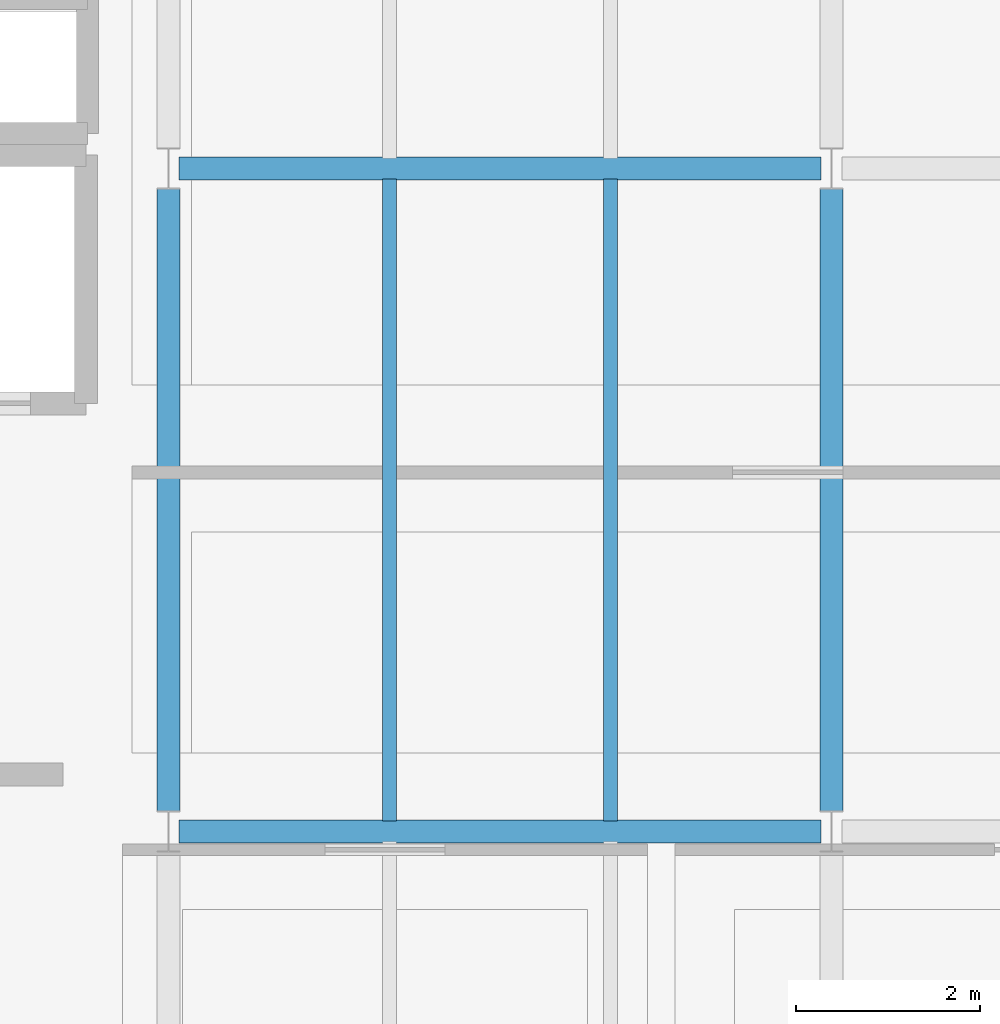
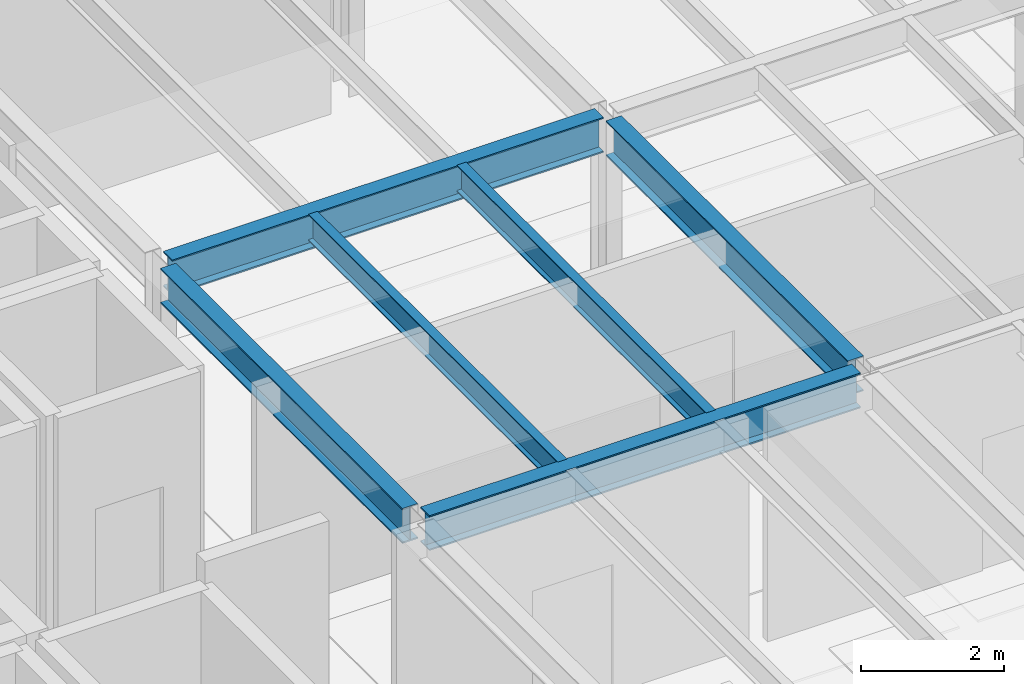
# One storey, part 9 of 37: 6 beams.
"""IFC4 building model written with IfcOpenShell, lengths in metres."""

from ifc_helpers import new_model, si_unit, direction, frame, origin, origin_2d, place, context, subcontext, project, spatial, i_section, extrude, material, material_profile, profile_set, type_object, element, save


model = new_model("IFC4")

# Units and contexts
model_context = context("Model", 3, precision=1e-05, world=origin(), true_north=direction((0.0, 1.0)))
body_context = subcontext(model_context, "Body", "Model", "MODEL_VIEW")
ifc_project = project(units=[si_unit("LENGTHUNIT", "METRE"), si_unit("AREAUNIT", "SQUARE_METRE"), si_unit("VOLUMEUNIT", "CUBIC_METRE"), si_unit("PLANEANGLEUNIT", "RADIAN"), si_unit("MASSUNIT", "GRAM", prefix="KILO")], contexts=[model_context])

# Site, building, storey
site_placement = place(None, origin())
site = spatial("IfcSite", under=ifc_project, at=site_placement, CompositionType="ELEMENT")
building_placement = place(site_placement, origin())
building = spatial("IfcBuilding", under=site, at=building_placement, Name="Kandorven Conservatory and Botanical Research Centre", CompositionType="ELEMENT")
storey_placement = place(building_placement, frame((0.0, 0.0, 9.0)))
storey = spatial("IfcBuildingStorey", under=building, at=storey_placement, Name="L02", CompositionType="ELEMENT", Elevation=9.0)

# Beams
ifc_material_1 = material(Name="Steel S355 (IS 2062 E350)", Category="steel")
ifc_material_profile_1 = material_profile(ifc_material_1, i_section(OverallWidth=0.25, OverallDepth=0.60009765625, WebThickness=0.01171875, FlangeThickness=0.023681640625, at=origin_2d()))
ifc_profile_set_1 = profile_set([ifc_material_profile_1], Name="Steel S355 (IS 2062 E350)")
beam_type_1 = type_object("IfcBeamType", Name="Beam_FG-01", PredefinedType="USERDEFINED", material=ifc_profile_set_1)
for number, where, z_axis, x_axis, name in (
    (1, (27.715087890625, 13.199951171875, 3.659912109375), (1.0, 0.0, 0.0), (0.0, 1.0, 0.0), "Primary girder FG-01 TWR L02"),
    (2, (27.715087890625, 20.39990234375, 3.659912109375), (1.0, 0.0, 0.0), (0.0, 1.0, 0.0), "Primary girder FG-01 TWR L02"),
):
    element("IfcBeam", number, at=place(storey_placement, frame(where, z_axis=z_axis, x_axis=x_axis)), inside=storey, type_object=beam_type_1, Name=name, ObjectType="GIRDER", PredefinedType="USERDEFINED", context=body_context, shape_type="SweptSolid", body=[
        extrude(i_section(OverallWidth=0.25, OverallDepth=0.60009765625, WebThickness=0.01171875, FlangeThickness=0.023681640625, at=origin_2d()), origin(), (0.0, 0.0, 1.0), 6.969970703125),
    ])
for number, where, z_axis, x_axis, name in (
    (3, (27.60009765625, 13.4150390625, 3.659912109375), (0.0, 1.0, 0.0), (-1.0, 0.0, 0.0), "Primary girder FG-01 TWR L02"),
    (4, (34.800048828125, 13.4150390625, 3.659912109375), (0.0, 1.0, 0.0), (-1.0, 0.0, 0.0), "Primary girder FG-01 TWR L02"),
):
    element("IfcBeam", number, at=place(storey_placement, frame(where, z_axis=z_axis, x_axis=x_axis)), inside=storey, type_object=beam_type_1, Name=name, ObjectType="GIRDER", PredefinedType="USERDEFINED", context=body_context, shape_type="SweptSolid", body=[
        extrude(i_section(OverallWidth=0.25, OverallDepth=0.60009765625, WebThickness=0.01171875, FlangeThickness=0.023681640625, at=origin_2d()), origin(), (0.0, 0.0, 1.0), 6.77001953125),
    ])
ifc_material_2 = material(Name="Steel S355 (IS 2062 E350)", Category="steel")
ifc_material_profile_2 = material_profile(ifc_material_2, i_section(OverallWidth=0.14990234375, OverallDepth=0.449951171875, WebThickness=0.009521484375, FlangeThickness=0.017333984375, at=origin_2d()))
ifc_profile_set_2 = profile_set([ifc_material_profile_2], Name="Steel S355 (IS 2062 E350)")
beam_type_2 = type_object("IfcBeamType", Name="Beam_SB-04", PredefinedType="BEAM", material=ifc_profile_set_2)
for number, where, z_axis, x_axis, name in (
    (5, (30.0, 13.31005859375, 3.735107421875), (0.0, 1.0, 0.0), (-1.0, 0.0, 0.0), "Composite secondary beam SB-04 TWR L02"),
    (6, (32.39990234375, 13.31005859375, 3.735107421875), (0.0, 1.0, 0.0), (-1.0, 0.0, 0.0), "Composite secondary beam SB-04 TWR L02"),
):
    element("IfcBeam", number, at=place(storey_placement, frame(where, z_axis=z_axis, x_axis=x_axis)), inside=storey, type_object=beam_type_2, Name=name, PredefinedType="BEAM", context=body_context, shape_type="SweptSolid", body=[
        extrude(i_section(OverallWidth=0.14990234375, OverallDepth=0.449951171875, WebThickness=0.009521484375, FlangeThickness=0.017333984375, at=origin_2d()), origin(), (0.0, 0.0, 1.0), 6.97998046875),
    ])

save(model, "model.ifc")
